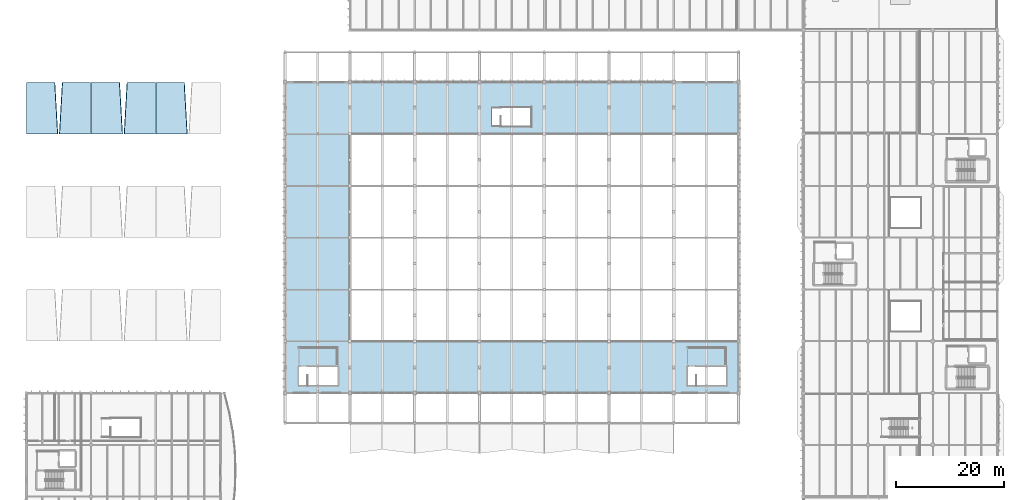
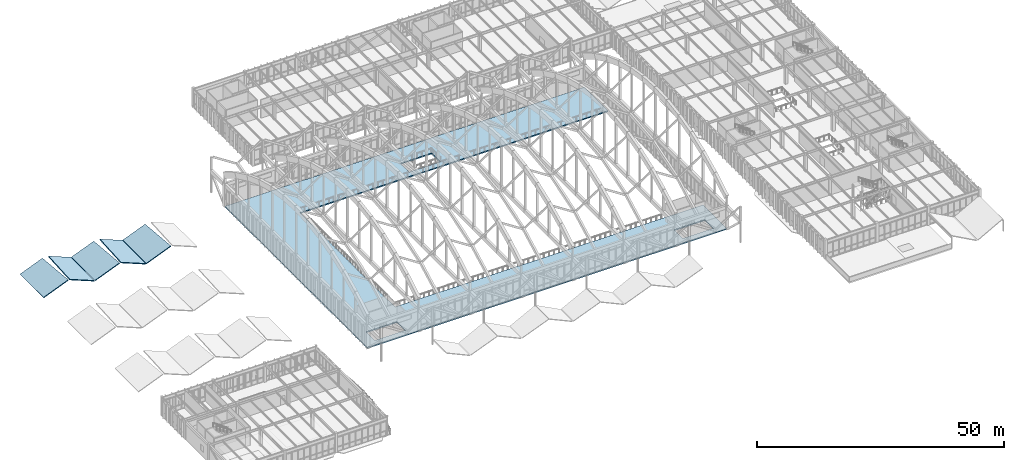
# One storey, part 192 of 236: 6 slabs.
"""IFC4 building model written with IfcOpenShell, lengths in metres."""

from ifc_helpers import new_model, si_unit, direction, frame, origin, place, context, subcontext, project, spatial, polyline, outline, extrude, material, layer, layer_set, type_object, element, save


model = new_model("IFC4")

# Units and contexts
model_context = context("Model", 3, precision=1e-05, world=origin(), true_north=direction((0.0, 1.0)))
body_context = subcontext(model_context, "Body", "Model", "MODEL_VIEW")
ifc_project = project(units=[si_unit("LENGTHUNIT", "METRE"), si_unit("AREAUNIT", "SQUARE_METRE"), si_unit("VOLUMEUNIT", "CUBIC_METRE"), si_unit("PLANEANGLEUNIT", "RADIAN"), si_unit("MASSUNIT", "GRAM", prefix="KILO")], contexts=[model_context])

# Site, building, storey
site_placement = place(None, origin())
site = spatial("IfcSite", under=ifc_project, at=site_placement, CompositionType="ELEMENT")
building_placement = place(site_placement, origin())
building = spatial("IfcBuilding", under=site, at=building_placement, Name="Pandanus Reach Market Hall", CompositionType="ELEMENT")
storey_placement = place(building_placement, frame((0.0, 0.0, 5.39990234375)))
storey = spatial("IfcBuildingStorey", under=building, at=storey_placement, Name="L01", CompositionType="ELEMENT", Elevation=5.39990234375)

# Slabs
ifc_material_1 = material(Name="Precast concrete S50 (50 MPa)", Category="concrete")
ifc_layer_1 = layer(ifc_material_1, 0.195068359375, Name="RF-GBL-195")
ifc_layer_set_1 = layer_set([ifc_layer_1], Name="Precast concrete S50 (50 MPa)")
slab_type_1 = type_object("IfcSlabType", Name="RF-GBL-195", PredefinedType="ROOF", material=ifc_layer_set_1)
slab_1_placement = place(storey_placement, frame((0.0400390625, 76.840087890625, 0.016357421875), z_axis=(-0.374590068677, 4.040399e-06, 0.927190530815), x_axis=(0.927190530822, -2.5e-11, 0.37459006868)))
element("IfcSlab", 1, at=slab_1_placement, inside=storey, type_object=slab_type_1, Name="Artisan stall steep gable roof R3.B1W", PredefinedType="ROOF", context=body_context, shape_type="SweptSolid", body=[
    extrude(outline(polyline([(0.0, 0.0), (6.233933062534003, 0.0), (5.651455285055803, 9.520019531468598), (-2.37335141754904e-10, 9.520019531172295), (0.0, 0.0)])), origin(), (0.0, 0.0, -1.0), 0.195068359375),
])
slab_2_placement = place(storey_placement, frame((6.179931640625, 76.840087890625, 2.3515625), z_axis=(0.374590068677, 4.040399e-06, 0.927190530815), x_axis=(0.927190530822, 2.5e-11, -0.37459006868)))
element("IfcSlab", 2, at=slab_2_placement, inside=storey, type_object=slab_type_1, Name="Artisan stall steep gable roof R3.B1E", PredefinedType="ROOF", context=body_context, shape_type="SweptSolid", body=[
    extrude(outline(polyline([(0.0, 0.0), (6.233933062534003, 0.0), (6.233933062771339, 9.520019531172295), (0.5824777774781991, 9.520019531468598), (0.0, 0.0)])), origin(), (0.0, 0.0, -1.0), 0.195068359375),
])
slab_3_placement = place(storey_placement, frame((12.0400390625, 76.840087890625, 0.016357421875), z_axis=(-0.374590068677, 4.040399e-06, 0.927190530815), x_axis=(0.927190530822, -2.5e-11, 0.37459006868)))
element("IfcSlab", 3, at=slab_3_placement, inside=storey, type_object=slab_type_1, Name="Artisan stall steep gable roof R3.B2W", PredefinedType="ROOF", context=body_context, shape_type="SweptSolid", body=[
    extrude(outline(polyline([(0.0, 0.0), (6.233933062534003, 0.0), (5.651455285055803, 9.520019531468598), (-2.37335141754904e-10, 9.520019531172295), (0.0, 0.0)])), origin(), (0.0, 0.0, -1.0), 0.195068359375),
])
slab_4_placement = place(storey_placement, frame((18.179931640625, 76.840087890625, 2.3515625), z_axis=(0.374590068677, 4.040399e-06, 0.927190530815), x_axis=(0.927190530822, 2.5e-11, -0.37459006868)))
element("IfcSlab", 4, at=slab_4_placement, inside=storey, type_object=slab_type_1, Name="Artisan stall steep gable roof R3.B2E", PredefinedType="ROOF", context=body_context, shape_type="SweptSolid", body=[
    extrude(outline(polyline([(0.0, 0.0), (6.233933062534003, 0.0), (6.233933062771339, 9.520019531172295), (0.5824777774781991, 9.520019531468598), (0.0, 0.0)])), origin(), (0.0, 0.0, -1.0), 0.195068359375),
])
slab_5_placement = place(storey_placement, frame((24.0400390625, 76.840087890625, 0.016357421875), z_axis=(-0.374590068677, 4.040399e-06, 0.927190530815), x_axis=(0.927190530822, -2.5e-11, 0.37459006868)))
element("IfcSlab", 5, at=slab_5_placement, inside=storey, type_object=slab_type_1, Name="Artisan stall steep gable roof R3.B3W", PredefinedType="ROOF", context=body_context, shape_type="SweptSolid", body=[
    extrude(outline(polyline([(0.0, 0.0), (6.233933062534003, 0.0), (5.651455285055803, 9.520019531468598), (-2.37335141754904e-10, 9.520019531172295), (0.0, 0.0)])), origin(), (0.0, 0.0, -1.0), 0.195068359375),
])
ifc_material_2 = material(Name="Concrete N40 (40 MPa)", Category="concrete")
ifc_layer_2 = layer(ifc_material_2, 0.280029296875, Name="SL-L01-M")
ifc_layer_set_2 = layer_set([ifc_layer_2], Name="Concrete N40 (40 MPa)")
slab_type_2 = type_object("IfcSlabType", Name="SL-L01-M", PredefinedType="FLOOR", material=ifc_layer_set_2)
slab_6_placement = place(storey_placement, frame((0.0, 0.0, -0.27978515625)))
element("IfcSlab", 6, at=slab_6_placement, inside=storey, type_object=slab_type_2, Name="Floor slab SL-L01-V1", PredefinedType="FLOOR", context=body_context, shape_type="SweptSolid", body=[
    extrude(outline(polyline([(48.0, 28.800048828125), (132.0, 28.800048828125), (132.0, 38.39990234375), (60.0, 38.39990234375), (60.0, 76.800048828125), (132.0, 76.800048828125), (132.0, 86.39990234375), (48.0, 86.39990234375), (48.0, 28.800048828125)]), holes=[polyline([(50.550048828125, 30.199951171875), (57.77001953125, 30.199951171875), (57.77001953125, 33.699951171875), (50.550048828125, 33.699951171875), (50.550048828125, 30.199951171875)]), polyline([(122.550048828125, 30.199951171875), (129.77001953125, 30.199951171875), (129.77001953125, 33.699951171875), (122.550048828125, 33.699951171875), (122.550048828125, 30.199951171875)]), polyline([(86.35009765625, 78.199951171875), (93.570068359375, 78.199951171875), (93.570068359375, 81.719970703125), (86.35009765625, 81.719970703125), (86.35009765625, 78.199951171875)])]), origin(), (0.0, 0.0, 1.0), 0.27978515625),
])

save(model, "model.ifc")
